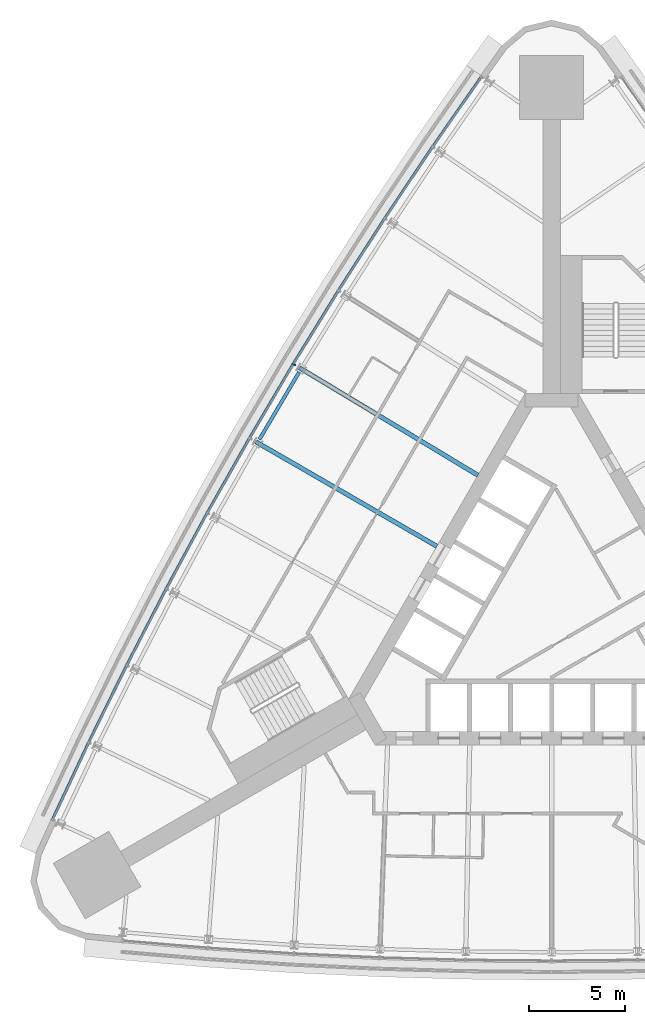
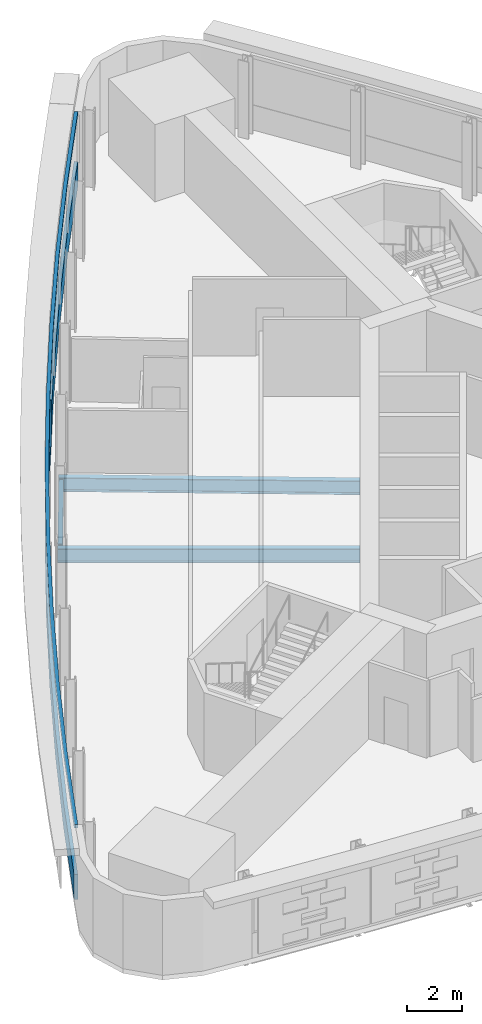
# One storey, part 5 of 14: 3 beams, 3 members, 1 element without a shape of its own.
"""IFC4 building model written with IfcOpenShell, lengths in metres."""

from ifc_helpers import new_model, si_unit, direction, frame, origin, origin_2d, place, context, subcontext, project, spatial, polyline, rectangle, i_section, outline, extrude, material, material_profile, profile_set, type_object, element, aggregate, save


model = new_model("IFC4")

# Units and contexts
model_context = context("Model", 3, precision=1e-05, world=origin(), true_north=direction((0.0, 1.0)))
body_context = subcontext(model_context, "Body", "Model", "MODEL_VIEW")
ifc_project = project(units=[si_unit("LENGTHUNIT", "METRE"), si_unit("AREAUNIT", "SQUARE_METRE"), si_unit("VOLUMEUNIT", "CUBIC_METRE"), si_unit("PLANEANGLEUNIT", "RADIAN"), si_unit("MASSUNIT", "GRAM", prefix="KILO")], contexts=[model_context])

# Site, building, storey
site_placement = place(None, origin())
site = spatial("IfcSite", under=ifc_project, at=site_placement, CompositionType="ELEMENT")
building_placement = place(site_placement, origin())
building = spatial("IfcBuilding", under=site, at=building_placement, Name="Noor Cloister Tower", CompositionType="ELEMENT")
storey_placement = place(building_placement, frame((0.0, 0.0, 38.39990234375)))
storey = spatial("IfcBuildingStorey", under=building, at=storey_placement, Name="L09", CompositionType="ELEMENT", Elevation=38.39990234375)

# Curtain wall, members
ifc_material_1 = material(Name="Aluminium 6063-T6 anodised", Category="aluminium")
curtain_wall_type = type_object("IfcCurtainWallType", Name="Ribbon curtain wall, lower tower CW1", PredefinedType="NOTDEFINED", material=ifc_material_1)
curtain_wall_placement = place(storey_placement, origin())
curtain_wall = element("IfcCurtainWall", 1, at=curtain_wall_placement, inside=storey, type_object=curtain_wall_type, Name="CW1 L09 NW run 1", PredefinedType="NOTDEFINED")
ifc_material_2 = material(Name="Aluminium 6063-T6 anodised", Category="aluminium")
member_type_1 = type_object("IfcMemberType", Name="Head transom CW1 150", PredefinedType="USERDEFINED", material=ifc_material_2)
member_1_placement = place(storey_placement, frame((0.0, 0.0, 3.150146484375)))
member_1 = element("IfcMember", 2, at=member_1_placement, type_object=member_type_1, Name="CW1 head transom", ObjectType="TRANSOM", PredefinedType="USERDEFINED", context=body_context, shape_type="SweptSolid", body=[
    extrude(outline(polyline([(-3.708984375, 28.084228515625), (-6.279052734375, 24.390380859375), (-8.779296875, 20.64892578125), (-11.209228515625, 16.861572265625), (-13.56787109375, 13.029296875), (-15.854248046875, 9.1533203125), (-18.067626953125, 5.2353515625), (-20.207275390625, 1.27685546875), (-22.272216796875, -2.721435546875), (-24.26220703125, -6.75732421875), (-26.176025390625, -10.830078125), (-26.04931640625, -10.8896484375), (-24.135986328125, -6.818115234375), (-22.147216796875, -2.784423828125), (-20.08349609375, 1.21142578125), (-17.945068359375, 5.167724609375), (-15.73291015625, 9.08349609375), (-13.447998046875, 12.95703125), (-11.0908203125, 16.787109375), (-8.662353515625, 20.572265625), (-6.163330078125, 24.3115234375), (-3.593994140625, 28.004150390625), (-3.708984375, 28.084228515625)])), origin(), (0.0, 0.0, 1.0), 0.14990234375),
])
ifc_material_3 = material(Name="Aluminium 6063-T6 anodised", Category="aluminium")
ifc_material_profile_1 = material_profile(ifc_material_3, rectangle(XDim=0.199951171875, YDim=0.080078125, at=origin_2d()), Name="200 x 80 mullion")
ifc_profile_set_1 = profile_set([ifc_material_profile_1], Name="Aluminium 6063-T6 anodised")
member_type_2 = type_object("IfcMemberType", Name="Mullion CW1 80 x 200", PredefinedType="MULLION", material=ifc_profile_set_1)
member_2_placement = place(storey_placement, frame((-13.482177734375, 12.9775390625, 1.10009765625), z_axis=(0.0, 0.0, 1.0), x_axis=(0.856510382098, -0.51612979507, 0.0)))
member_2 = element("IfcMember", 3, at=member_2_placement, type_object=member_type_2, Name="CW1 mullion 5", PredefinedType="MULLION", context=body_context, shape_type="SweptSolid", body=[
    extrude(rectangle(XDim=0.199951171875, YDim=0.080078125, at=origin_2d()), origin(), (0.0, 0.0, 1.0), 2.050048828125),
])

# Beams
ifc_material_4 = material(Name="Steel ASTM A992 Gr 50", Category="steel")
ifc_material_profile_2 = material_profile(ifc_material_4, i_section(OverallWidth=0.22900390625, OverallDepth=0.612060546875, WebThickness=0.011962890625, FlangeThickness=0.01953125, FilletRadius=0.0126953125, at=origin_2d()), Name="W610x125")
ifc_profile_set_2 = profile_set([ifc_material_profile_2], Name="Steel ASTM A992 Gr 50")
beam_type_1 = type_object("IfcBeamType", Name="Radial beam W610x125", PredefinedType="BEAM", material=ifc_profile_set_2)
beam_1_placement = place(storey_placement, frame((-13.1796875, 12.79541015625, -0.505859375), z_axis=(0.856505836488, -0.516137338372, 0.0), x_axis=(0.516137338372, 0.856505836488, 0.0)))
element("IfcBeam", 4, at=beam_1_placement, inside=storey, type_object=beam_type_1, Name="Radial beam NW 05 L09", PredefinedType="BEAM", context=body_context, shape_type="SweptSolid", body=[
    extrude(i_section(OverallWidth=0.22900390625, OverallDepth=0.612060546875, WebThickness=0.011962890625, FlangeThickness=0.01953125, FilletRadius=0.0126953125, at=origin_2d()), origin(), (0.0, 0.0, 1.0), 10.885498046875),
])
beam_2_placement = place(storey_placement, frame((-15.4619140625, 8.927001953125, -0.505859375), z_axis=(0.866023343127, -0.500003569146, 0.0), x_axis=(0.500003569146, 0.866023343127, 0.0)))
element("IfcBeam", 5, at=beam_2_placement, inside=storey, type_object=beam_type_1, Name="Radial beam NW 06 L09", PredefinedType="BEAM", context=body_context, shape_type="SweptSolid", body=[
    extrude(i_section(OverallWidth=0.22900390625, OverallDepth=0.612060546875, WebThickness=0.011962890625, FlangeThickness=0.01953125, FilletRadius=0.0126953125, at=origin_2d()), origin(), (0.0, 0.0, 1.0), 10.92578125),
])

# Member
ifc_material_5 = material(Name="Aluminium 6063-T6 anodised", Category="aluminium")
member_type_3 = type_object("IfcMemberType", Name="Sill transom CW1 1100", PredefinedType="USERDEFINED", material=ifc_material_5)
member_3_placement = place(storey_placement, origin())
member_3 = element("IfcMember", 6, at=member_3_placement, type_object=member_type_3, Name="CW1 sill transom", ObjectType="TRANSOM", PredefinedType="USERDEFINED", context=body_context, shape_type="SweptSolid", body=[
    extrude(outline(polyline([(-3.708984375, 28.084228515625), (-6.279052734375, 24.390380859375), (-8.779296875, 20.64892578125), (-11.209228515625, 16.861572265625), (-13.56787109375, 13.029296875), (-15.854248046875, 9.1533203125), (-18.067626953125, 5.2353515625), (-20.207275390625, 1.27685546875), (-22.272216796875, -2.721435546875), (-24.26220703125, -6.75732421875), (-26.176025390625, -10.830078125), (-26.04931640625, -10.8896484375), (-24.135986328125, -6.818115234375), (-22.147216796875, -2.784423828125), (-20.08349609375, 1.21142578125), (-17.945068359375, 5.167724609375), (-15.73291015625, 9.08349609375), (-13.447998046875, 12.95703125), (-11.0908203125, 16.787109375), (-8.662353515625, 20.572265625), (-6.163330078125, 24.3115234375), (-3.593994140625, 28.004150390625), (-3.708984375, 28.084228515625)])), origin(), (0.0, 0.0, 1.0), 1.10009765625),
])

aggregate(curtain_wall, [member_2, member_3, member_1])

# Beam
ifc_material_6 = material(Name="Steel ASTM A992 Gr 50", Category="steel")
ifc_material_profile_3 = material_profile(ifc_material_6, i_section(OverallWidth=0.177978515625, OverallDepth=0.406005859375, WebThickness=0.0078125, FlangeThickness=0.0126953125, FilletRadius=0.01025390625, at=origin_2d()), Name="W410x60")
ifc_profile_set_3 = profile_set([ifc_material_profile_3], Name="Steel ASTM A992 Gr 50")
beam_type_2 = type_object("IfcBeamType", Name="Spandrel beam W410x60", PredefinedType="SPANDREL", material=ifc_profile_set_3)
beam_3_placement = place(storey_placement, frame((-13.199462890625, 12.5712890625, -0.40283203125), z_axis=(-0.508074831261, -0.861312931424, 0.0), x_axis=(0.861312931424, -0.508074831261, 0.0)))
element("IfcBeam", 7, at=beam_3_placement, inside=storey, type_object=beam_type_2, Name="Spandrel beam NW 05 L09", PredefinedType="SPANDREL", context=body_context, shape_type="SweptSolid", body=[
    extrude(i_section(OverallWidth=0.177978515625, OverallDepth=0.406005859375, WebThickness=0.0078125, FlangeThickness=0.0126953125, FilletRadius=0.01025390625, at=origin_2d()), origin(), (0.0, 0.0, 1.0), 4.08544921875),
])

save(model, "model.ifc")
